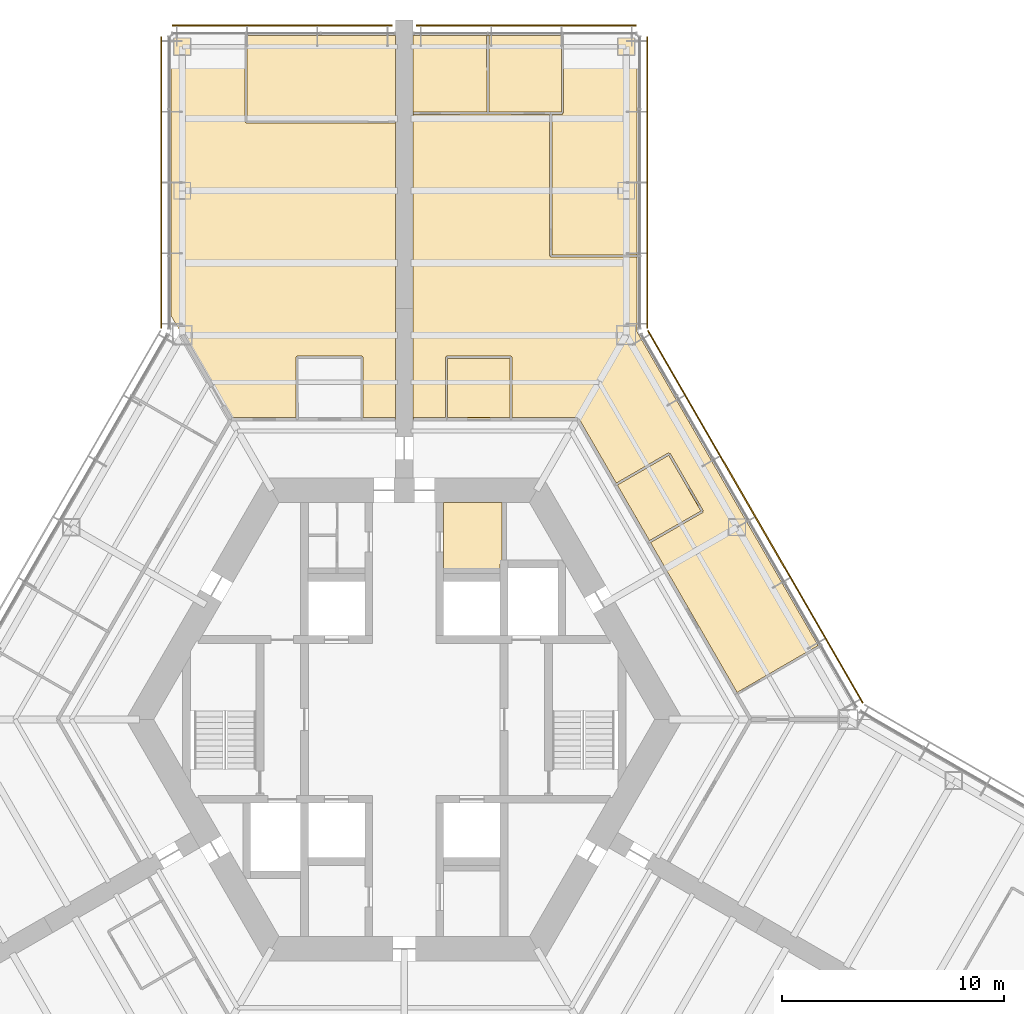
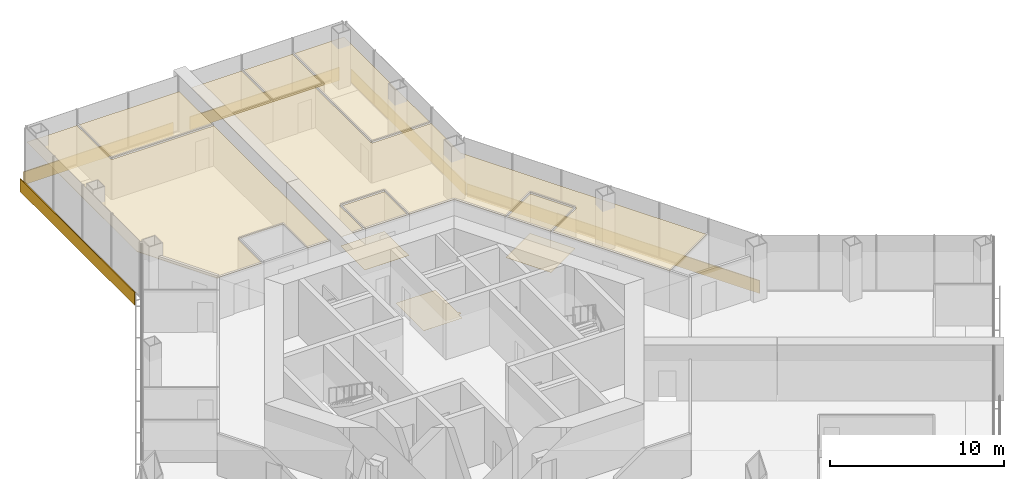
# One storey, part 18 of 18: 11 coverings, 5 shading devices.
"""IFC4 building model written with IfcOpenShell, lengths in metres."""

from ifc_helpers import new_model, si_unit, direction, frame, origin, origin_2d, place, context, subcontext, project, spatial, polyline, rectangle, outline, extrude, material, layer, layer_set, type_object, element, save


model = new_model("IFC4")

# Units and contexts
model_context = context("Model", 3, precision=1e-05, world=origin(), true_north=direction((0.0, 1.0)))
body_context = subcontext(model_context, "Body", "Model", "MODEL_VIEW")
ifc_project = project(units=[si_unit("LENGTHUNIT", "METRE"), si_unit("AREAUNIT", "SQUARE_METRE"), si_unit("VOLUMEUNIT", "CUBIC_METRE"), si_unit("PLANEANGLEUNIT", "RADIAN"), si_unit("MASSUNIT", "GRAM", prefix="KILO")], contexts=[model_context])

# Site, building, storey
site_placement = place(None, origin())
site = spatial("IfcSite", under=ifc_project, at=site_placement, CompositionType="ELEMENT")
building_placement = place(site_placement, origin())
building = spatial("IfcBuilding", under=site, at=building_placement, Name="Kasaneha Research Tower", CompositionType="ELEMENT")
storey_placement = place(building_placement, frame((0.0, 0.0, 76.800048828125)))
storey = spatial("IfcBuildingStorey", under=building, at=storey_placement, Name="L19", CompositionType="ELEMENT", Elevation=76.800048828125)

# Coverings
ifc_material_1 = material(Name="Gypsum ceiling board", Category="gypsum")
ifc_layer_1 = layer(ifc_material_1, 0.02001953125)
ifc_layer_set_1 = layer_set([ifc_layer_1], Name="Suspended ceiling 20")
covering_type_1 = type_object("IfcCoveringType", Name="Suspended ceiling 20", PredefinedType="CEILING", material=ifc_layer_set_1)
covering_1_placement = place(storey_placement, frame((0.0, 0.0, 2.800048828125)))
element("IfcCovering", 1, at=covering_1_placement, inside=storey, type_object=covering_type_1, Name="Ceiling L19-25", PredefinedType="CEILING", context=body_context, shape_type="SweptSolid", body=[
    extrude(outline(polyline([(1.954345703125, 13.60009765625), (1.9501953125, 16.27490234375), (4.766845703125, 16.27490234375), (4.7626953125, 13.60009765625), (1.954345703125, 13.60009765625)])), origin(), (0.0, 0.0, 1.0), 0.02001953125),
])
covering_2_placement = place(storey_placement, frame((0.0, 0.0, 2.800048828125)))
element("IfcCovering", 2, at=covering_2_placement, inside=storey, type_object=covering_type_1, Name="Ceiling L19-26", PredefinedType="CEILING", context=body_context, shape_type="SweptSolid", body=[
    extrude(outline(polyline([(13.36962890625, 9.393310546875), (11.05078125, 8.0595703125), (9.605224609375, 10.5634765625), (11.919677734375, 11.904541015625), (13.36962890625, 9.393310546875)])), origin(), (0.0, 0.0, 1.0), 0.02001953125),
])
covering_3_placement = place(storey_placement, frame((0.0, 0.0, 2.800048828125)))
element("IfcCovering", 3, at=covering_3_placement, inside=storey, type_object=covering_type_1, Name="Ceiling L19-27", PredefinedType="CEILING", context=body_context, shape_type="SweptSolid", body=[
    extrude(outline(polyline([(7.13330078125, 30.820556640625), (7.13330078125, 30.800537109375), (7.083251953125, 30.800537109375), (7.083251953125, 27.37060546875), (6.6044921875, 27.37060546875), (3.821533203125, 27.375), (3.816650390625, 30.800537109375), (3.7666015625, 30.800537109375), (3.7666015625, 30.820556640625), (7.13330078125, 30.820556640625)])), origin(), (0.0, 0.0, 1.0), 0.02001953125),
])
covering_4_placement = place(storey_placement, frame((0.0, 0.0, 2.800048828125)))
element("IfcCovering", 4, at=covering_4_placement, inside=storey, type_object=covering_type_1, Name="Ceiling L19-28", PredefinedType="CEILING", context=body_context, shape_type="SweptSolid", body=[
    extrude(outline(polyline([(3.7666015625, 30.820556640625), (3.7666015625, 30.800537109375), (3.716796875, 30.800537109375), (3.7216796875, 27.375), (0.419921875, 27.37060546875), (0.419921875, 27.320556640625), (0.39990234375, 27.320556640625), (0.39990234375, 30.820556640625), (3.7666015625, 30.820556640625)])), origin(), (0.0, 0.0, 1.0), 0.02001953125),
])
covering_5_placement = place(storey_placement, frame((0.0, 0.0, 2.800048828125)))
element("IfcCovering", 5, at=covering_5_placement, inside=storey, type_object=covering_type_1, Name="Ceiling L19-29", PredefinedType="CEILING", context=body_context, shape_type="SweptSolid", body=[
    extrude(outline(polyline([(10.500244140625, 30.82080078125), (10.5, 20.89111328125), (10.5, 20.941162109375), (6.650146484375, 20.941162109375), (6.654541015625, 27.2705078125), (7.13330078125, 27.2705078125), (7.13330078125, 27.320556640625), (7.183349609375, 27.320556640625), (7.183349609375, 30.800537109375), (7.133544921875, 30.800537109375), (7.133544921875, 30.82080078125), (10.500244140625, 30.82080078125)])), origin(), (0.0, 0.0, 1.0), 0.02001953125),
])
covering_6_placement = place(storey_placement, frame((0.0, 0.0, 2.800048828125)))
element("IfcCovering", 6, at=covering_6_placement, inside=storey, type_object=covering_type_1, Name="Ceiling L19-31", PredefinedType="CEILING", context=body_context, shape_type="SweptSolid", body=[
    extrude(outline(polyline([(13.438232421875, 9.374755859375), (13.438232421875, 9.375), (13.481201171875, 9.39990234375), (11.981201171875, 11.998046875), (11.938232421875, 11.97314453125), (11.938232421875, 11.973388671875), (11.937744140625, 11.97314453125), (11.912841796875, 12.016357421875), (9.55517578125, 10.64990234375), (7.87353515625, 13.5625), (7.80908203125, 13.525146484375), (7.808837890625, 13.525390625), (7.80859375, 13.525390625), (7.80859375, 13.60009765625), (4.862548828125, 13.60009765625), (4.866943359375, 16.324951171875), (4.817138671875, 16.324951171875), (4.817138671875, 16.325439453125), (4.81689453125, 16.325439453125), (4.81689453125, 16.375), (1.89990234375, 16.375), (1.89990234375, 16.325439453125), (1.899658203125, 16.325439453125), (1.899658203125, 16.324951171875), (1.85009765625, 16.324951171875), (1.8544921875, 13.60009765625), (0.419921875, 13.60009765625), (0.419921875, 13.525390625), (0.39990234375, 13.525390625), (0.39990234375, 27.320068359375), (0.419921875, 27.320068359375), (0.420166015625, 27.2705078125), (3.7666015625, 27.27490234375), (6.554443359375, 27.2705078125), (6.550048828125, 20.89111328125), (6.599609375, 20.89111328125), (6.599609375, 20.890869140625), (6.60009765625, 20.890869140625), (6.60009765625, 20.841064453125), (10.5, 20.841064453125), (10.5, 17.45458984375), (18.67919921875, 3.287841796875), (18.661865234375, 3.27783203125), (18.636962890625, 3.320556640625), (15.00146484375, 1.216552734375), (11.100830078125, 7.972900390625), (13.462890625, 9.33154296875), (13.43798828125, 9.374755859375), (13.438232421875, 9.374755859375)])), origin(), (0.0, 0.0, 1.0), 0.02001953125),
])
covering_7_placement = place(storey_placement, frame((0.0, 0.0, 2.800048828125)))
element("IfcCovering", 7, at=covering_7_placement, inside=storey, type_object=covering_type_1, Name="Ceiling L19-34", PredefinedType="CEILING", context=body_context, shape_type="SweptSolid", body=[
    extrude(outline(polyline([(-0.39990234375, 26.92041015625), (-0.419921875, 26.92041015625), (-0.419921875, 26.970458984375), (-7.083251953125, 26.970458984375), (-7.083251953125, 30.800537109375), (-7.13330078125, 30.800537109375), (-7.13330078125, 30.820556640625), (-0.39990234375, 30.820556640625), (-0.39990234375, 26.92041015625)])), origin(), (0.0, 0.0, 1.0), 0.02001953125),
])
covering_8_placement = place(storey_placement, frame((0.0, 0.0, 2.800048828125)))
element("IfcCovering", 8, at=covering_8_placement, inside=storey, type_object=covering_type_1, Name="Ceiling L19-35", PredefinedType="CEILING", context=body_context, shape_type="SweptSolid", body=[
    extrude(outline(polyline([(-1.899658203125, 16.325439453125), (-1.89990234375, 16.325439453125), (-1.89990234375, 16.375), (-4.8291015625, 16.375), (-4.8291015625, 16.325439453125), (-4.8291015625, 16.324951171875), (-4.87890625, 16.324951171875), (-4.87451171875, 13.60009765625), (-7.78564453125, 13.60009765625), (-7.78564453125, 13.525390625), (-7.808837890625, 13.525390625), (-10.5, 18.1865234375), (-10.5, 30.820556640625), (-7.1337890625, 30.820556640625), (-7.1337890625, 30.800537109375), (-7.183349609375, 30.800537109375), (-7.183349609375, 26.92041015625), (-7.133544921875, 26.92041015625), (-7.133544921875, 26.920166015625), (-7.13330078125, 26.920166015625), (-7.13330078125, 26.87060546875), (-0.419921875, 26.87060546875), (-0.419921875, 26.919921875), (-0.39990234375, 26.919921875), (-0.39990234375, 13.525390625), (-0.419921875, 13.525390625), (-0.419921875, 13.60009765625), (-1.8544921875, 13.60009765625), (-1.85009765625, 16.324951171875), (-1.899658203125, 16.324951171875), (-1.899658203125, 16.325439453125)])), origin(), (0.0, 0.0, 1.0), 0.02001953125),
])

# Shading devices
ifc_material_2 = material(Name="Terracotta", Category="masonry")
ifc_layer_2 = layer(ifc_material_2, 0.06005859375)
ifc_layer_set_2 = layer_set([ifc_layer_2], Name="Terracotta baguette screen")
shading_device_type = type_object("IfcShadingDeviceType", Name="Terracotta baguette screen", PredefinedType="USERDEFINED", material=ifc_layer_set_2)
shading_device_1_placement = place(storey_placement, frame((15.82275390625, 9.13525390625, -0.449951171875), z_axis=(0.0, 0.0, 1.0), x_axis=(-0.49999996188, 0.866025425793, 0.0)))
element("IfcShadingDevice", 9, at=shading_device_1_placement, inside=storey, type_object=shading_device_type, Name="Baguette screen L19 07", ObjectType="TERRACOTTA BAGUETTE SCREEN", PredefinedType="USERDEFINED", context=body_context, shape_type="SweptSolid", body=[
    extrude(rectangle(XDim=19.37841796875, YDim=0.06005859375, at=origin_2d()), origin(), (0.0, 0.0, 1.0), 0.89990234375),
])
shading_device_2_placement = place(storey_placement, frame((10.949951171875, 24.200927734375, -0.449951171875), z_axis=(0.0, 0.0, 1.0), x_axis=(0.0, 1.0, 0.0)))
element("IfcShadingDevice", 10, at=shading_device_2_placement, inside=storey, type_object=shading_device_type, Name="Baguette screen L19 08", ObjectType="TERRACOTTA BAGUETTE SCREEN", PredefinedType="USERDEFINED", context=body_context, shape_type="SweptSolid", body=[
    extrude(rectangle(XDim=13.13916015625, YDim=0.06005859375, at=origin_2d()), origin(), (0.0, 0.0, 1.0), 0.89990234375),
])
for number, where, z_axis, x_axis, name in (
    (11, (5.5, 31.2705078125, -0.449951171875), (0.0, 0.0, 1.0), (-1.0, 0.0, 0.0), "Baguette screen L19 09"),
    (12, (-5.5, 31.2705078125, -0.449951171875), (0.0, 0.0, 1.0), (-1.0, 0.0, 0.0), "Baguette screen L19 10"),
):
    element("IfcShadingDevice", number, at=place(storey_placement, frame(where, z_axis=z_axis, x_axis=x_axis)), inside=storey, type_object=shading_device_type, Name=name, ObjectType="TERRACOTTA BAGUETTE SCREEN", PredefinedType="USERDEFINED", context=body_context, shape_type="SweptSolid", body=[
        extrude(rectangle(XDim=9.89990234375, YDim=0.06005859375, at=origin_2d()), origin(), (0.0, 0.0, 1.0), 0.89990234375),
    ])
shading_device_3_placement = place(storey_placement, frame((-10.949951171875, 24.200927734375, -0.449951171875), z_axis=(0.0, 0.0, 1.0), x_axis=(0.0, -1.0, 0.0)))
element("IfcShadingDevice", 13, at=shading_device_3_placement, inside=storey, type_object=shading_device_type, Name="Baguette screen L19 11", ObjectType="TERRACOTTA BAGUETTE SCREEN", PredefinedType="USERDEFINED", context=body_context, shape_type="SweptSolid", body=[
    extrude(rectangle(XDim=13.13916015625, YDim=0.06005859375, at=origin_2d()), origin(), (0.0, 0.0, 1.0), 0.89990234375),
])

# Coverings
ifc_material_3 = material(Name="Vinyl sheet flooring", Category="plastic")
ifc_layer_3 = layer(ifc_material_3, 0.0048828125)
ifc_layer_set_3 = layer_set([ifc_layer_3], Name="Wet room sheet flooring 5")
covering_type_2 = type_object("IfcCoveringType", Name="Wet room sheet flooring 5", PredefinedType="FLOORING", material=ifc_layer_set_3)
covering_9_placement = place(storey_placement, origin())
element("IfcCovering", 14, at=covering_9_placement, inside=storey, type_object=covering_type_2, Name="Floor finish L19-09", PredefinedType="FLOORING", context=body_context, shape_type="SweptSolid", body=[
    extrude(outline(polyline([(4.39892578125, 9.77490234375), (4.39892578125, 7.175048828125), (4.39892578125, 7.1748046875), (4.39892578125, 7.1748046875), (4.39892578125, 7.1748046875), (4.399169921875, 7.174560546875), (4.399169921875, 7.174560546875), (4.399169921875, 7.174560546875), (4.399169921875, 7.17431640625), (4.399169921875, 7.17431640625), (4.3994140625, 7.17431640625), (4.3994140625, 7.174072265625), (4.3994140625, 7.174072265625), (4.399658203125, 7.174072265625), (4.399658203125, 7.174072265625), (4.39990234375, 7.174072265625), (4.39990234375, 7.174072265625), (4.39990234375, 7.174072265625), (4.5, 7.174072265625), (4.5, 7.0), (4.324951171875, 7.0), (4.324951171875, 6.574951171875), (1.77490234375, 6.574951171875), (1.77490234375, 9.77490234375), (4.39892578125, 9.77490234375)])), origin(), (0.0, 0.0, 1.0), 0.0048828125),
])
covering_10_placement = place(storey_placement, origin())
element("IfcCovering", 15, at=covering_10_placement, inside=storey, type_object=covering_type_2, Name="Floor finish L19-25", PredefinedType="FLOORING", context=body_context, shape_type="SweptSolid", body=[
    extrude(outline(polyline([(1.89990234375, 16.324951171875), (4.81689453125, 16.324951171875), (4.81689453125, 13.52490234375), (1.89990234375, 13.52490234375), (1.89990234375, 16.324951171875)])), origin(), (0.0, 0.0, 1.0), 0.0048828125),
])
covering_11_placement = place(storey_placement, origin())
element("IfcCovering", 16, at=covering_11_placement, inside=storey, type_object=covering_type_2, Name="Floor finish L19-26", PredefinedType="FLOORING", context=body_context, shape_type="SweptSolid", body=[
    extrude(outline(polyline([(11.93798828125, 11.972900390625), (13.43798828125, 9.375), (11.012939453125, 7.974853515625), (9.512939453125, 10.572998046875), (11.93798828125, 11.972900390625)])), origin(), (0.0, 0.0, 1.0), 0.0048828125),
])

save(model, "model.ifc")
